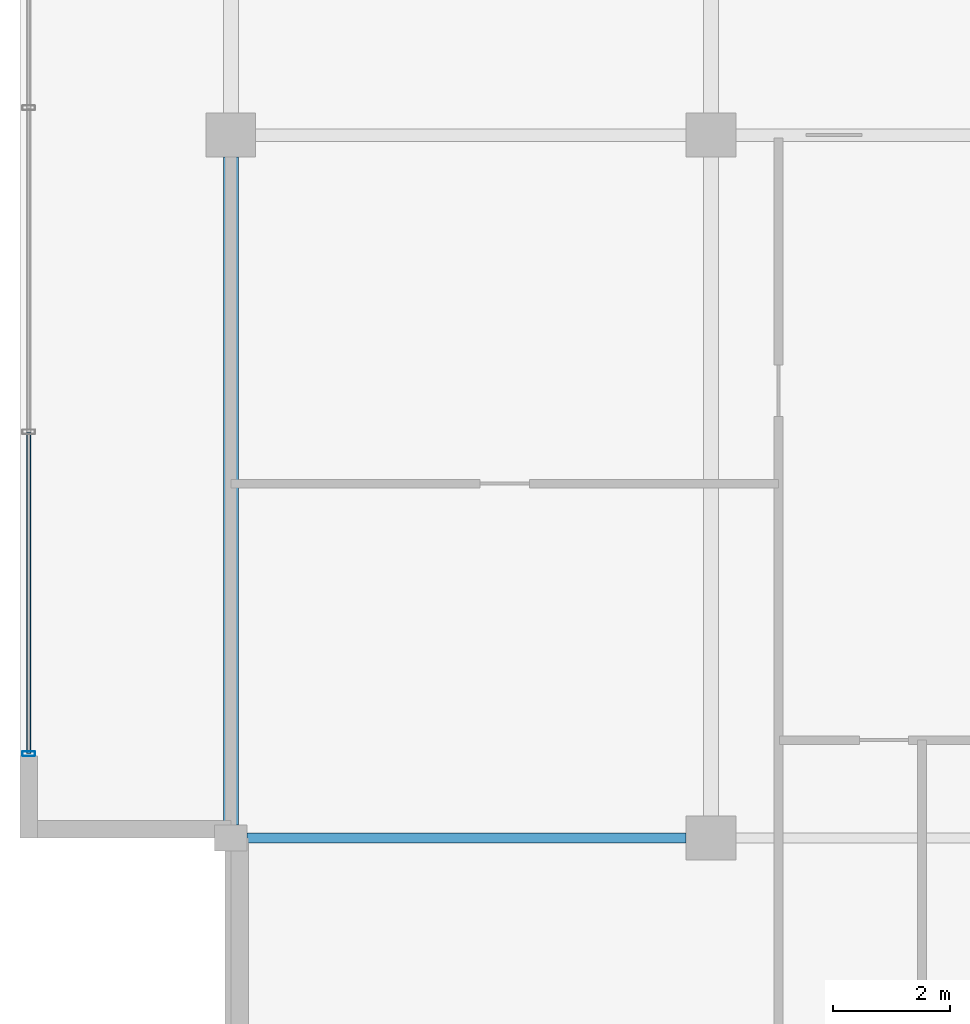
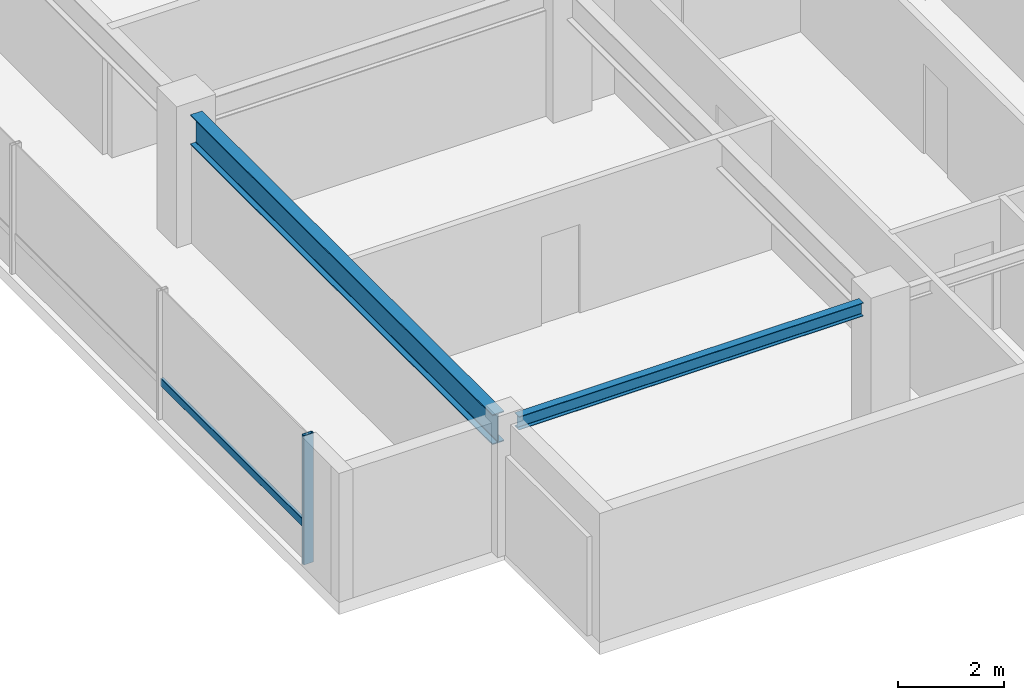
# One storey, part 2 of 32: 2 beams, 2 members, 1 element without a shape of its own.
"""IFC4 building model written with IfcOpenShell, lengths in metres."""

from ifc_helpers import new_model, si_unit, direction, frame, origin, origin_2d, place, context, subcontext, project, spatial, hollow_rectangle, i_section, extrude, material, layer, layer_set, material_profile, profile_set, type_object, element, aggregate, save


model = new_model("IFC4")

# Units and contexts
model_context = context("Model", 3, precision=1e-05, world=origin(), true_north=direction((0.0, 1.0)))
body_context = subcontext(model_context, "Body", "Model", "MODEL_VIEW")
ifc_project = project(units=[si_unit("LENGTHUNIT", "METRE"), si_unit("AREAUNIT", "SQUARE_METRE"), si_unit("VOLUMEUNIT", "CUBIC_METRE"), si_unit("PLANEANGLEUNIT", "RADIAN"), si_unit("MASSUNIT", "GRAM", prefix="KILO")], contexts=[model_context])

# Site, building, storey
site_placement = place(None, origin())
site = spatial("IfcSite", under=ifc_project, at=site_placement, CompositionType="ELEMENT")
building_placement = place(site_placement, origin())
building = spatial("IfcBuilding", under=site, at=building_placement, Name="Korimba Cascade Residences", CompositionType="ELEMENT")
storey_placement = place(building_placement, frame((0.0, 0.0, 178.35009765625)))
storey = spatial("IfcBuildingStorey", under=building, at=storey_placement, Name="L51", CompositionType="ELEMENT", Elevation=178.35009765625)

# Beams
ifc_material_1 = material(Name="Steel S355", Category="steel")
ifc_material_profile_1 = material_profile(ifc_material_1, i_section(OverallWidth=0.165771484375, OverallDepth=0.306640625, WebThickness=0.006591796875, FlangeThickness=0.01171875, FilletRadius=0.0087890625, at=origin_2d()), Name="Steel S355")
ifc_profile_set_1 = profile_set([ifc_material_profile_1], Name="Steel S355")
beam_type_1 = type_object("IfcBeamType", Name="BM-STL-UB305", PredefinedType="SPANDREL", material=ifc_profile_set_1)
beam_1_placement = place(storey_placement, frame((60.074951171875, 55.199951171875, 2.816650390625), z_axis=(1.0, 0.0, 0.0), x_axis=(0.0, 1.0, 0.0)))
element("IfcBeam", 1, at=beam_1_placement, inside=storey, type_object=beam_type_1, Name="L51 T1 E-W Girder Y1 Bay 1", PredefinedType="SPANDREL", context=body_context, shape_type="SweptSolid", body=[
    extrude(i_section(OverallWidth=0.165771484375, OverallDepth=0.306640625, WebThickness=0.006591796875, FlangeThickness=0.01171875, FilletRadius=0.0087890625, at=origin_2d()), origin(), (0.0, 0.0, 1.0), 7.5),
])
ifc_material_profile_2 = material_profile(ifc_material_1, i_section(OverallWidth=0.255859375, OverallDepth=0.69287109375, WebThickness=0.014404296875, FlangeThickness=0.023681640625, FilletRadius=0.01513671875, at=origin_2d()), Name="Steel S355")
ifc_profile_set_2 = profile_set([ifc_material_profile_2], Name="Steel S355")
beam_type_2 = type_object("IfcBeamType", Name="BM-STL-UB686", PredefinedType="BEAM", material=ifc_profile_set_2)
beam_2_placement = place(storey_placement, frame((59.800048828125, 55.425048828125, 2.623291015625), z_axis=(0.0, 1.0, 0.0), x_axis=(-1.0, 0.0, 0.0)))
element("IfcBeam", 2, at=beam_2_placement, inside=storey, type_object=beam_type_2, Name="L51 T1 N-S Girder X1 Seg 1", PredefinedType="BEAM", context=body_context, shape_type="SweptSolid", body=[
    extrude(i_section(OverallWidth=0.255859375, OverallDepth=0.69287109375, WebThickness=0.014404296875, FlangeThickness=0.023681640625, FilletRadius=0.01513671875, at=origin_2d()), origin(), (0.0, 0.0, 1.0), 11.39990234375),
])

# Curtain wall, members
ifc_material_2 = material(Name="Anodised Aluminium Curtain Wall Framing", Category="aluminium")
ifc_layer = layer(ifc_material_2, 0.179931640625)
ifc_layer_set = layer_set([ifc_layer], Name="Anodised Aluminium Curtain Wall Framing")
curtain_wall_type = type_object("IfcCurtainWallType", Name="CW-SKY-SYS2", PredefinedType="NOTDEFINED", material=ifc_layer_set)
curtain_wall_placement = place(storey_placement, origin())
curtain_wall = element("IfcCurtainWall", 3, at=curtain_wall_placement, inside=storey, type_object=curtain_wall_type, Name="L51 Curtain Wall CW-L51-T1-E9", PredefinedType="NOTDEFINED")
ifc_material_3 = material(Name="Anodised Aluminium Mullion", Category="aluminium")
ifc_material_profile_3 = material_profile(ifc_material_3, hollow_rectangle(XDim=0.080078125, YDim=0.219970703125, WallThickness=0.00634765625, InnerFilletRadius=0.00634765625, OuterFilletRadius=0.0126953125, at=origin_2d()), Name="Anodised Aluminium Mullion")
ifc_profile_set_3 = profile_set([ifc_material_profile_3], Name="Anodised Aluminium Mullion")
member_type_1 = type_object("IfcMemberType", Name="CWM-MUL-220", PredefinedType="MULLION", material=ifc_profile_set_3)
member_1_placement = place(storey_placement, frame((56.35009765625, 56.639892578125, 0.0), z_axis=(0.0, 0.0, 1.0), x_axis=(0.0, -1.0, 0.0)))
member_1 = element("IfcMember", 4, at=member_1_placement, type_object=member_type_1, Name="CW-L51-T1-E9 Mullion 7", PredefinedType="MULLION", context=body_context, shape_type="SweptSolid", body=[
    extrude(hollow_rectangle(XDim=0.080078125, YDim=0.219970703125, WallThickness=0.00634765625, InnerFilletRadius=0.00634765625, OuterFilletRadius=0.0126953125, at=origin_2d()), origin(), (0.0, 0.0, 1.0), 2.969970703125),
])
ifc_material_4 = material(Name="Anodised Aluminium Transom", Category="aluminium")
ifc_material_profile_4 = material_profile(ifc_material_4, hollow_rectangle(XDim=0.070068359375, YDim=0.179931640625, WallThickness=0.0048828125, InnerFilletRadius=0.0048828125, OuterFilletRadius=0.010009765625, at=origin_2d()), Name="Anodised Aluminium Transom")
ifc_profile_set_4 = profile_set([ifc_material_profile_4], Name="Anodised Aluminium Transom")
member_type_2 = type_object("IfcMemberType", Name="CWM-TRN-150", PredefinedType="USERDEFINED", material=ifc_profile_set_4)
member_2_placement = place(storey_placement, frame((56.35009765625, 62.13330078125, 0.83154296875), z_axis=(0.0, -1.0, 0.0), x_axis=(1.0, 0.0, 0.0)))
member_2 = element("IfcMember", 5, at=member_2_placement, type_object=member_type_2, Name="CW-L51-T1-E9 Transom 6", ObjectType="TRANSOM", PredefinedType="USERDEFINED", context=body_context, shape_type="SweptSolid", body=[
    extrude(hollow_rectangle(XDim=0.070068359375, YDim=0.179931640625, WallThickness=0.0048828125, InnerFilletRadius=0.0048828125, OuterFilletRadius=0.010009765625, at=origin_2d()), origin(), (0.0, 0.0, 1.0), 5.493408203125),
])
aggregate(curtain_wall, [member_1, member_2])

save(model, "model.ifc")
